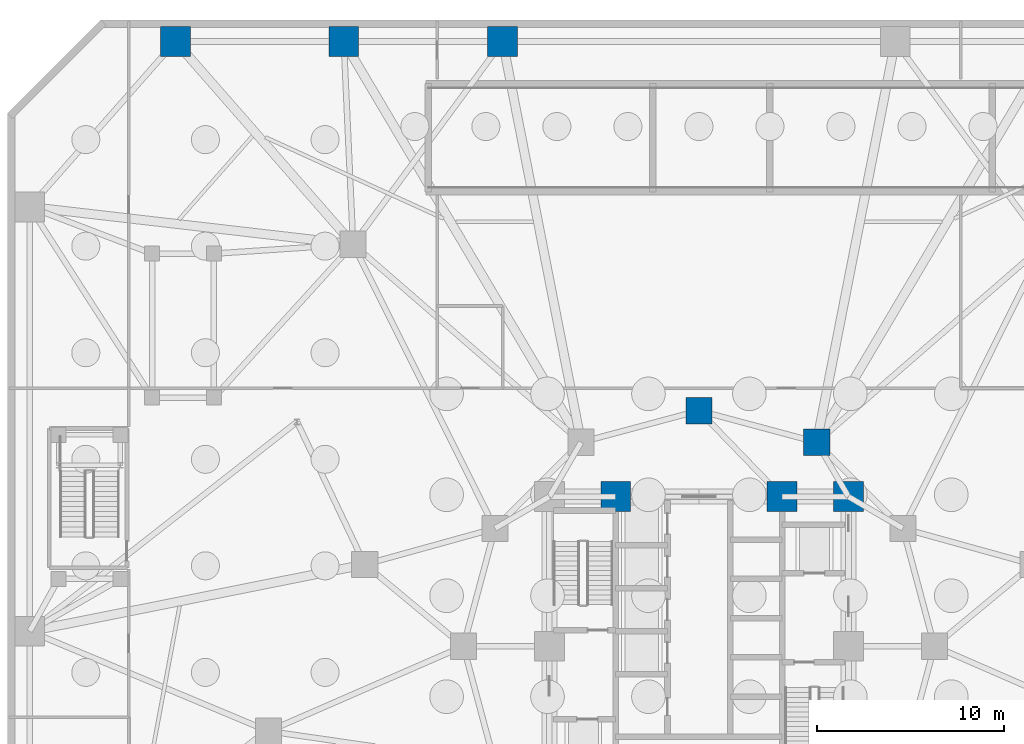
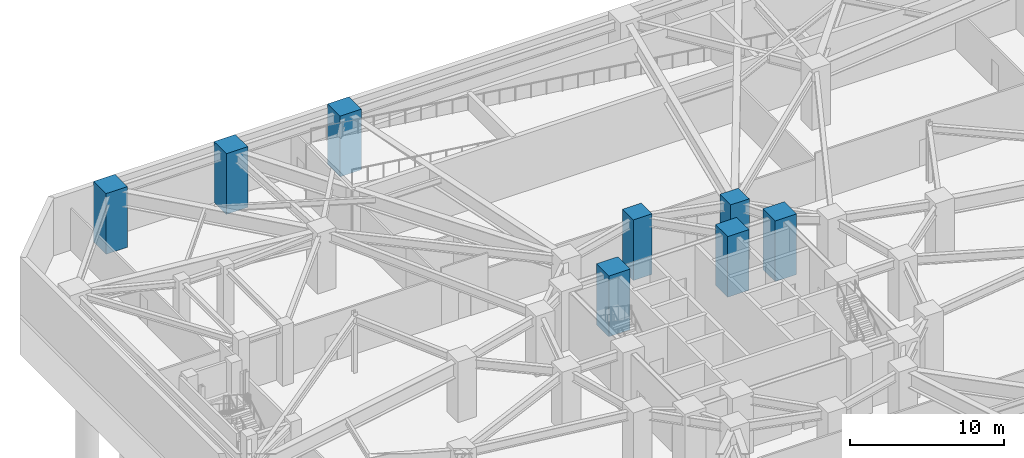
# One storey, part 6 of 20: 8 columns.
"""IFC4 building model written with IfcOpenShell, lengths in metres."""

from ifc_helpers import new_model, si_unit, direction, frame, origin, origin_2d, place, context, subcontext, project, spatial, rectangle, extrude, material, material_profile, profile_set, type_object, element, save


model = new_model("IFC4")

# Units and contexts
model_context = context("Model", 3, precision=1e-05, world=origin(), true_north=direction((0.0, 1.0)))
body_context = subcontext(model_context, "Body", "Model", "MODEL_VIEW")
ifc_project = project(units=[si_unit("LENGTHUNIT", "METRE"), si_unit("AREAUNIT", "SQUARE_METRE"), si_unit("VOLUMEUNIT", "CUBIC_METRE"), si_unit("PLANEANGLEUNIT", "RADIAN"), si_unit("MASSUNIT", "GRAM", prefix="KILO")], contexts=[model_context])

# Site, building, storey
site_placement = place(None, origin())
site = spatial("IfcSite", under=ifc_project, at=site_placement, CompositionType="ELEMENT")
building_placement = place(site_placement, origin())
building = spatial("IfcBuilding", under=site, at=building_placement, Name="Terralouvre Media Tower", CompositionType="ELEMENT")
storey_placement = place(building_placement, frame((0.0, 0.0, -9.60009765625)))
storey = spatial("IfcBuildingStorey", under=building, at=storey_placement, Name="B02", CompositionType="ELEMENT", Elevation=-9.60009765625)

# Columns
ifc_material_1 = material(Name="Concrete C60/75", Category="concrete")
ifc_material_profile_1 = material_profile(ifc_material_1, rectangle(XDim=1.39990234375, YDim=1.39990234375, at=origin_2d()), Name="RC 1400x1400")
ifc_profile_set_1 = profile_set([ifc_material_profile_1], Name="Concrete C60/75")
column_type_1 = type_object("IfcColumnType", Name="Structural Column C-RC1400 (RC 1400x1400)", PredefinedType="COLUMN", material=ifc_profile_set_1)
for number, where, z_axis, x_axis, name in (
    (1, (6.300048828125, 10.911865234375, 0.0), (0.0, 0.0, 1.0), (1.0, 0.0, 0.0), "B02 Mega-Frame Column MC03"),
    (2, (0.0, 12.60009765625, 0.0), (0.0, 0.0, 1.0), (1.0, 0.0, 0.0), "B02 Mega-Frame Column MC04"),
):
    element("IfcColumn", number, at=place(storey_placement, frame(where, z_axis=z_axis, x_axis=x_axis)), inside=storey, type_object=column_type_1, Name=name, PredefinedType="COLUMN", context=body_context, shape_type="SweptSolid", body=[
        extrude(rectangle(XDim=1.39990234375, YDim=1.39990234375, at=origin_2d()), origin(), (0.0, 0.0, 1.0), 4.800048828125),
    ])
ifc_material_2 = material(Name="Concrete C60/75", Category="concrete")
ifc_material_profile_2 = material_profile(ifc_material_2, rectangle(XDim=1.60009765625, YDim=1.60009765625, at=origin_2d()), Name="RC 1600x1600")
ifc_profile_set_2 = profile_set([ifc_material_profile_2], Name="Concrete C60/75")
column_type_2 = type_object("IfcColumnType", Name="Structural Column C-RC1600 (RC 1600x1600)", PredefinedType="COLUMN", material=ifc_profile_set_2)
for number, where, z_axis, x_axis, name in (
    (3, (8.0, 8.0, 0.0), (0.0, 0.0, 1.0), (1.0, 0.0, 0.0), "B02 Core Pilaster Column CP5"),
    (4, (4.449951171875, 8.0, 0.0), (0.0, 0.0, 1.0), (1.0, 0.0, 0.0), "B02 Core Pilaster Column CP9"),
    (5, (-4.449951171875, 8.0, 0.0), (0.0, 0.0, 1.0), (1.0, 0.0, 0.0), "B02 Core Pilaster Column CP6"),
    (6, (-10.5, 32.35009765625, 0.0), (0.0, 0.0, 1.0), (1.0, 0.0, 0.0), "B02 Perimeter Mega-Column PM13"),
    (7, (-19.0, 32.35009765625, 0.0), (0.0, 0.0, 1.0), (1.0, 0.0, 0.0), "B02 Perimeter Mega-Column PM14"),
    (8, (-28.0, 32.35009765625, 0.0), (0.0, 0.0, 1.0), (1.0, 0.0, 0.0), "B02 Perimeter Mega-Column PM15"),
):
    element("IfcColumn", number, at=place(storey_placement, frame(where, z_axis=z_axis, x_axis=x_axis)), inside=storey, type_object=column_type_2, Name=name, PredefinedType="COLUMN", context=body_context, shape_type="SweptSolid", body=[
        extrude(rectangle(XDim=1.60009765625, YDim=1.60009765625, at=origin_2d()), origin(), (0.0, 0.0, 1.0), 4.800048828125),
    ])

save(model, "model.ifc")
